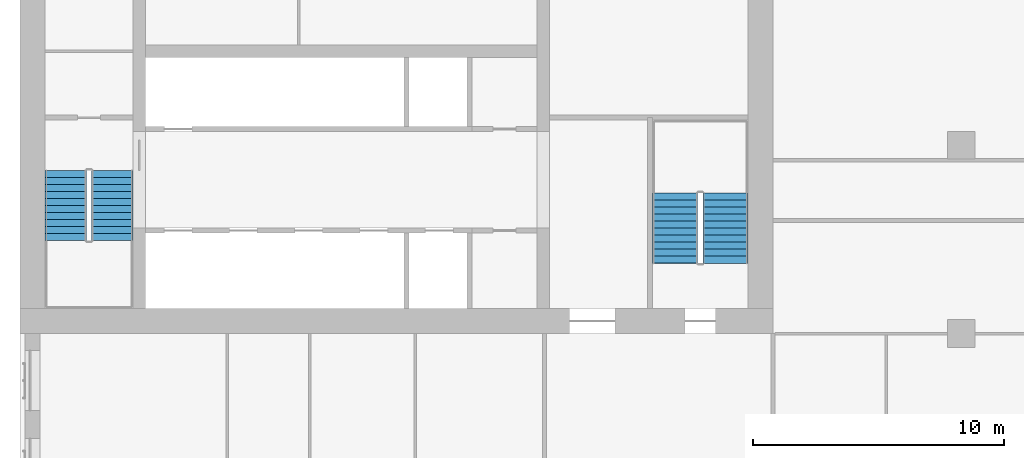
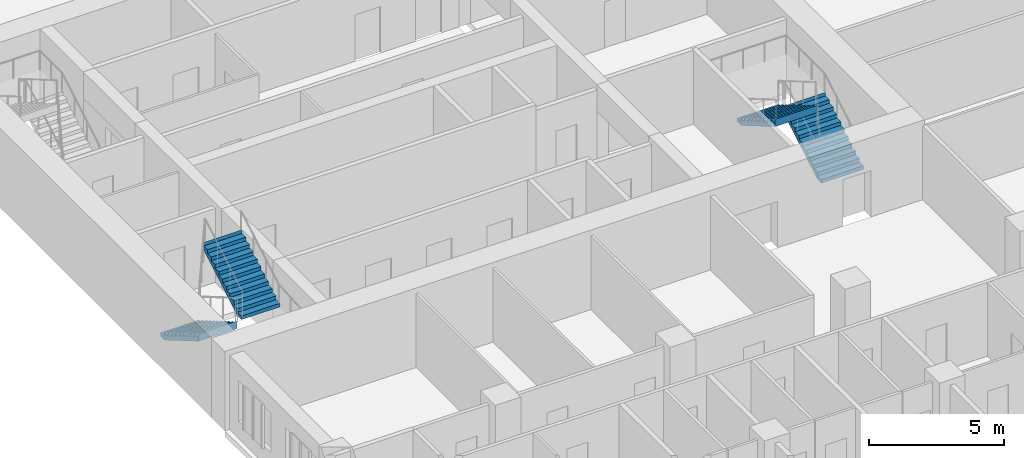
# One storey, part 13 of 15: 4 stair flights, 2 elements without a shape of their own.
"""IFC4 building model written with IfcOpenShell, lengths in metres."""

from ifc_helpers import new_model, si_unit, direction, frame, origin, place, context, subcontext, project, spatial, polyline, outline, extrude, material, type_object, element, aggregate, save


model = new_model("IFC4")

# Units and contexts
model_context = context("Model", 3, precision=1e-05, world=origin(), true_north=direction((0.0, 1.0)))
body_context = subcontext(model_context, "Body", "Model", "MODEL_VIEW")
ifc_project = project(units=[si_unit("LENGTHUNIT", "METRE"), si_unit("AREAUNIT", "SQUARE_METRE"), si_unit("VOLUMEUNIT", "CUBIC_METRE"), si_unit("PLANEANGLEUNIT", "RADIAN"), si_unit("MASSUNIT", "GRAM", prefix="KILO")], contexts=[model_context])

# Site, building, storey
site_placement = place(None, origin())
site = spatial("IfcSite", under=ifc_project, at=site_placement, CompositionType="ELEMENT")
building_placement = place(site_placement, origin())
building = spatial("IfcBuilding", under=site, at=building_placement, Name="Tamorin Gate", CompositionType="ELEMENT")
storey_placement = place(building_placement, frame((0.0, 0.0, 111.5)))
storey = spatial("IfcBuildingStorey", under=building, at=storey_placement, Name="L27", CompositionType="ELEMENT", Elevation=111.5)

# Stair, stair flights
ifc_material = material(Name="Concrete C40/50", Category="concrete")
stair_type = type_object("IfcStairType", Name="Exit stair", PredefinedType="HALF_TURN_STAIR", material=ifc_material)
stair_1_placement = place(storey_placement, origin())
stair_1 = element("IfcStair", 1, at=stair_1_placement, inside=storey, type_object=stair_type, Name="L27 stair ST1", PredefinedType="HALF_TURN_STAIR")
stair_flight_type = type_object("IfcStairFlightType", Name="Exit stair flight", PredefinedType="STRAIGHT", material=ifc_material)
stair_flight_1_placement = place(storey_placement, frame((31.824951171875, 66.5, 0.0), z_axis=(0.0, 0.0, 1.0), x_axis=(0.0, -1.0, 0.0)))
stair_flight_1 = element("IfcStairFlight", 2, at=stair_flight_1_placement, type_object=stair_flight_type, Name="ST1 flight 1", NumberOfRisers=11, NumberOfTreads=10, PredefinedType="STRAIGHT", RiserHeight=0.163636364, TreadLength=0.28, context=body_context, shape_type="SweptSolid", body=[
    extrude(outline(polyline([(-0.00048828125, 0.0), (-0.00048828125, 0.001708984375), (-0.00048828125, 0.003173828125), (-0.00048828125, 0.0048828125), (-0.00048828125, 0.006591796875), (-0.00048828125, 0.008056640625), (-0.00048828125, 0.009765625), (-0.00048828125, 0.01123046875), (-0.00048828125, 0.012939453125), (-0.00048828125, 0.0146484375), (-0.00048828125, 0.01611328125), (-0.00048828125, 0.017822265625), (-0.00048828125, 0.01953125), (-0.00048828125, 0.02099609375), (-0.00048828125, 0.022705078125), (-0.00048828125, 0.0244140625), (-0.00048828125, 0.02587890625), (-0.00048828125, 0.027587890625), (-0.00048828125, 0.029052734375), (-0.00048828125, 0.03076171875), (-0.00048828125, 0.032470703125), (-0.00048828125, 0.033935546875), (-0.00048828125, 0.03564453125), (-0.00048828125, 0.037353515625), (-0.00048828125, 0.038818359375), (-0.00048828125, 0.04052734375), (-0.00048828125, 0.042236328125), (-0.00048828125, 0.043701171875), (-0.00048828125, 0.04541015625), (-0.00048828125, 0.046875), (-0.00048828125, 0.048583984375), (-0.00048828125, 0.05029296875), (-0.00048828125, 0.0517578125), (-0.00048828125, 0.053466796875), (-0.00048828125, 0.05517578125), (-0.00048828125, 0.056640625), (-0.00048828125, 0.058349609375), (-0.00048828125, 0.06005859375), (-0.00048828125, 0.0615234375), (-0.00048828125, 0.063232421875), (-0.00048828125, 0.064697265625), (-0.00048828125, 0.06640625), (-0.00048828125, 0.068115234375), (-0.00048828125, 0.069580078125), (-0.00048828125, 0.0712890625), (-0.00048828125, 0.072998046875), (-0.00048828125, 0.074462890625), (-0.00048828125, 0.076171875), (-0.00048828125, 0.077880859375), (-0.00048828125, 0.079345703125), (-0.00048828125, 0.0810546875), (-0.00048828125, 0.08251953125), (-0.00048828125, 0.084228515625), (-0.00048828125, 0.0859375), (-0.00048828125, 0.08740234375), (-0.00048828125, 0.089111328125), (-0.00048828125, 0.0908203125), (-0.00048828125, 0.09228515625), (-0.00048828125, 0.093994140625), (-0.00048828125, 0.095703125), (-0.00048828125, 0.09716796875), (-0.00048828125, 0.098876953125), (-0.00048828125, 0.100341796875), (-0.00048828125, 0.10205078125), (-0.00048828125, 0.103759765625), (-0.00048828125, 0.105224609375), (-0.00048828125, 0.10693359375), (-0.00048828125, 0.108642578125), (-0.00048828125, 0.110107421875), (-0.00048828125, 0.11181640625), (-0.00048828125, 0.113525390625), (-0.00048828125, 0.114990234375), (-0.00048828125, 0.11669921875), (-0.00048828125, 0.1181640625), (-0.00048828125, 0.119873046875), (-0.00048828125, 0.12158203125), (-0.00048828125, 0.123046875), (-0.00048828125, 0.124755859375), (-0.00048828125, 0.12646484375), (-0.00048828125, 0.1279296875), (-0.00048828125, 0.129638671875), (-0.00048828125, 0.13134765625), (-0.00048828125, 0.1328125), (-0.00048828125, 0.134521484375), (-0.00048828125, 0.135986328125), (-0.00048828125, 0.1376953125), (-0.00048828125, 0.139404296875), (-0.00048828125, 0.140869140625), (-0.00048828125, 0.142578125), (-0.00048828125, 0.144287109375), (-0.00048828125, 0.145751953125), (-0.00048828125, 0.1474609375), (-0.00048828125, 0.149169921875), (-0.00048828125, 0.150634765625), (-0.00048828125, 0.15234375), (-0.00048828125, 0.15380859375), (-0.00048828125, 0.155517578125), (-0.00048828125, 0.1572265625), (-0.00048828125, 0.15869140625), (-0.00048828125, 0.160400390625), (-0.00048828125, 0.162109375), (-0.00048828125, 0.16357421875), (0.280029296875, 0.16357421875), (0.280029296875, 0.327392578125), (0.56005859375, 0.327392578125), (0.56005859375, 0.490966796875), (0.840087890625, 0.490966796875), (0.840087890625, 0.654541015625), (1.1201171875, 0.654541015625), (1.1201171875, 0.818115234375), (1.39990234375, 0.818115234375), (1.39990234375, 0.98193359375), (1.679931640625, 0.98193359375), (1.679931640625, 1.1455078125), (1.9599609375, 1.1455078125), (1.9599609375, 1.30908203125), (2.239990234375, 1.30908203125), (2.239990234375, 1.47265625), (2.52001953125, 1.47265625), (2.52001953125, 1.636474609375), (2.800048828125, 1.636474609375), (2.800048828125, 1.800048828125), (2.800537109375, 1.800048828125), (2.800537109375, 1.796630859375), (2.800537109375, 1.793212890625), (2.800537109375, 1.7900390625), (2.800537109375, 1.78662109375), (2.800537109375, 1.783203125), (2.800537109375, 1.780029296875), (2.800537109375, 1.776611328125), (2.800537109375, 1.773193359375), (2.800537109375, 1.77001953125), (2.800537109375, 1.7666015625), (2.800537109375, 1.76318359375), (2.800537109375, 1.760009765625), (2.800537109375, 1.756591796875), (2.800537109375, 1.753173828125), (2.800537109375, 1.75), (2.800537109375, 1.74658203125), (2.800537109375, 1.7431640625), (2.800537109375, 1.739990234375), (2.800537109375, 1.736572265625), (2.800537109375, 1.733154296875), (2.800537109375, 1.72998046875), (2.800537109375, 1.7265625), (2.800537109375, 1.72314453125), (2.800537109375, 1.719970703125), (2.800537109375, 1.716552734375), (2.800537109375, 1.713134765625), (2.800537109375, 1.7099609375), (2.800537109375, 1.70654296875), (2.800537109375, 1.703125), (2.800537109375, 1.69970703125), (2.800537109375, 1.696533203125), (2.800537109375, 1.693115234375), (2.800537109375, 1.689697265625), (2.800537109375, 1.6865234375), (2.800537109375, 1.68310546875), (2.800537109375, 1.6796875), (2.800537109375, 1.676513671875), (2.800537109375, 1.673095703125), (2.800537109375, 1.669677734375), (2.800537109375, 1.66650390625), (2.800537109375, 1.6630859375), (2.800537109375, 1.65966796875), (2.800537109375, 1.656494140625), (2.800537109375, 1.653076171875), (2.800537109375, 1.649658203125), (2.800537109375, 1.646484375), (2.800537109375, 1.64306640625), (2.800537109375, 1.6396484375), (2.800537109375, 1.636474609375), (2.800537109375, 1.633056640625), (2.800537109375, 1.629638671875), (2.800537109375, 1.62646484375), (2.800537109375, 1.623046875), (2.800537109375, 1.61962890625), (2.800537109375, 1.616455078125), (2.800537109375, 1.613037109375), (2.800537109375, 1.609619140625), (2.800537109375, 1.6064453125), (2.800537109375, 1.60302734375), (2.800537109375, 1.599609375), (2.800537109375, 1.59619140625), (2.800537109375, 1.593017578125), (2.800537109375, 1.589599609375), (2.800537109375, 1.586181640625), (2.800537109375, 1.5830078125), (2.800537109375, 1.57958984375), (2.800537109375, 1.576171875), (2.800537109375, 1.572998046875), (2.800537109375, 1.569580078125), (2.800537109375, 1.566162109375), (2.800537109375, 1.56298828125), (2.800537109375, 1.5595703125), (2.800537109375, 1.55615234375), (2.800537109375, 1.552978515625), (2.800537109375, 1.549560546875), (2.800537109375, 1.546142578125), (2.800537109375, 1.54296875), (2.800537109375, 1.53955078125), (2.800537109375, 1.5361328125), (2.800537109375, 1.532958984375), (2.800537109375, 1.529541015625), (2.800537109375, 1.526123046875), (2.800537109375, 1.52294921875), (2.800537109375, 1.51953125), (2.800537109375, 1.51611328125), (2.800537109375, 1.512939453125), (2.800537109375, 1.509521484375), (2.800537109375, 1.506103515625), (2.800537109375, 1.5029296875), (2.800537109375, 1.49951171875), (2.800537109375, 1.49609375), (2.800537109375, 1.49267578125), (2.800537109375, 1.489501953125), (2.800537109375, 1.486083984375), (2.800537109375, 1.482666015625), (2.800537109375, 1.4794921875), (2.800537109375, 1.47607421875), (2.800537109375, 1.47265625), (2.800537109375, 1.469482421875), (2.800537109375, 1.466064453125), (2.800537109375, 1.462646484375), (2.800048828125, 1.462646484375), (0.297119140625, 0.0), (-0.00048828125, 0.0)])), frame((0.0, 0.824951171875, 0.0), z_axis=(0.0, -1.0, 0.0), x_axis=(1.0, 0.0, 0.0)), (0.0, 0.0, 1.0), 1.64990234375),
])
stair_flight_2_placement = place(storey_placement, frame((33.675048828125, 63.699951171875, 1.800048828125), z_axis=(0.0, 0.0, 1.0), x_axis=(0.0, 1.0, 0.0)))
stair_flight_2 = element("IfcStairFlight", 3, at=stair_flight_2_placement, type_object=stair_flight_type, Name="ST1 flight 2", NumberOfRisers=11, NumberOfTreads=10, PredefinedType="STRAIGHT", RiserHeight=0.163636364, TreadLength=0.28, context=body_context, shape_type="SweptSolid", body=[
    extrude(outline(polyline([(-0.00048828125, 0.0), (-0.00048828125, 0.001708984375), (-0.00048828125, 0.003173828125), (-0.00048828125, 0.0048828125), (-0.00048828125, 0.006591796875), (-0.00048828125, 0.008056640625), (-0.00048828125, 0.009765625), (-0.00048828125, 0.01123046875), (-0.00048828125, 0.012939453125), (-0.00048828125, 0.0146484375), (-0.00048828125, 0.01611328125), (-0.00048828125, 0.017822265625), (-0.00048828125, 0.01953125), (-0.00048828125, 0.02099609375), (-0.00048828125, 0.022705078125), (-0.00048828125, 0.0244140625), (-0.00048828125, 0.02587890625), (-0.00048828125, 0.027587890625), (-0.00048828125, 0.029052734375), (-0.00048828125, 0.03076171875), (-0.00048828125, 0.032470703125), (-0.00048828125, 0.033935546875), (-0.00048828125, 0.03564453125), (-0.00048828125, 0.037353515625), (-0.00048828125, 0.038818359375), (-0.00048828125, 0.04052734375), (-0.00048828125, 0.042236328125), (-0.00048828125, 0.043701171875), (-0.00048828125, 0.04541015625), (-0.00048828125, 0.046875), (-0.00048828125, 0.048583984375), (-0.00048828125, 0.05029296875), (-0.00048828125, 0.0517578125), (-0.00048828125, 0.053466796875), (-0.00048828125, 0.05517578125), (-0.00048828125, 0.056640625), (-0.00048828125, 0.058349609375), (-0.00048828125, 0.06005859375), (-0.00048828125, 0.0615234375), (-0.00048828125, 0.063232421875), (-0.00048828125, 0.064697265625), (-0.00048828125, 0.06640625), (-0.00048828125, 0.068115234375), (-0.00048828125, 0.069580078125), (-0.00048828125, 0.0712890625), (-0.00048828125, 0.072998046875), (-0.00048828125, 0.074462890625), (-0.00048828125, 0.076171875), (-0.00048828125, 0.077880859375), (-0.00048828125, 0.079345703125), (-0.00048828125, 0.0810546875), (-0.00048828125, 0.08251953125), (-0.00048828125, 0.084228515625), (-0.00048828125, 0.0859375), (-0.00048828125, 0.08740234375), (-0.00048828125, 0.089111328125), (-0.00048828125, 0.0908203125), (-0.00048828125, 0.09228515625), (-0.00048828125, 0.093994140625), (-0.00048828125, 0.095703125), (-0.00048828125, 0.09716796875), (-0.00048828125, 0.098876953125), (-0.00048828125, 0.100341796875), (-0.00048828125, 0.10205078125), (-0.00048828125, 0.103759765625), (-0.00048828125, 0.105224609375), (-0.00048828125, 0.10693359375), (-0.00048828125, 0.108642578125), (-0.00048828125, 0.110107421875), (-0.00048828125, 0.11181640625), (-0.00048828125, 0.113525390625), (-0.00048828125, 0.114990234375), (-0.00048828125, 0.11669921875), (-0.00048828125, 0.1181640625), (-0.00048828125, 0.119873046875), (-0.00048828125, 0.12158203125), (-0.00048828125, 0.123046875), (-0.00048828125, 0.124755859375), (-0.00048828125, 0.12646484375), (-0.00048828125, 0.1279296875), (-0.00048828125, 0.129638671875), (-0.00048828125, 0.13134765625), (-0.00048828125, 0.1328125), (-0.00048828125, 0.134521484375), (-0.00048828125, 0.135986328125), (-0.00048828125, 0.1376953125), (-0.00048828125, 0.139404296875), (-0.00048828125, 0.140869140625), (-0.00048828125, 0.142578125), (-0.00048828125, 0.144287109375), (-0.00048828125, 0.145751953125), (-0.00048828125, 0.1474609375), (-0.00048828125, 0.149169921875), (-0.00048828125, 0.150634765625), (-0.00048828125, 0.15234375), (-0.00048828125, 0.15380859375), (-0.00048828125, 0.155517578125), (-0.00048828125, 0.1572265625), (-0.00048828125, 0.15869140625), (-0.00048828125, 0.160400390625), (-0.00048828125, 0.162109375), (-0.00048828125, 0.16357421875), (0.280029296875, 0.16357421875), (0.280029296875, 0.327392578125), (0.56005859375, 0.327392578125), (0.56005859375, 0.490966796875), (0.840087890625, 0.490966796875), (0.840087890625, 0.654541015625), (1.1201171875, 0.654541015625), (1.1201171875, 0.818115234375), (1.39990234375, 0.818115234375), (1.39990234375, 0.98193359375), (1.679931640625, 0.98193359375), (1.679931640625, 1.1455078125), (1.9599609375, 1.1455078125), (1.9599609375, 1.30908203125), (2.239990234375, 1.30908203125), (2.239990234375, 1.47265625), (2.52001953125, 1.47265625), (2.52001953125, 1.636474609375), (2.800048828125, 1.636474609375), (2.800048828125, 1.800048828125), (2.800537109375, 1.800048828125), (2.800537109375, 1.796630859375), (2.800537109375, 1.793212890625), (2.800537109375, 1.7900390625), (2.800537109375, 1.78662109375), (2.800537109375, 1.783203125), (2.800537109375, 1.780029296875), (2.800537109375, 1.776611328125), (2.800537109375, 1.773193359375), (2.800537109375, 1.77001953125), (2.800537109375, 1.7666015625), (2.800537109375, 1.76318359375), (2.800537109375, 1.760009765625), (2.800537109375, 1.756591796875), (2.800537109375, 1.753173828125), (2.800537109375, 1.75), (2.800537109375, 1.74658203125), (2.800537109375, 1.7431640625), (2.800537109375, 1.739990234375), (2.800537109375, 1.736572265625), (2.800537109375, 1.733154296875), (2.800537109375, 1.72998046875), (2.800537109375, 1.7265625), (2.800537109375, 1.72314453125), (2.800537109375, 1.719970703125), (2.800537109375, 1.716552734375), (2.800537109375, 1.713134765625), (2.800537109375, 1.7099609375), (2.800537109375, 1.70654296875), (2.800537109375, 1.703125), (2.800537109375, 1.69970703125), (2.800537109375, 1.696533203125), (2.800537109375, 1.693115234375), (2.800537109375, 1.689697265625), (2.800537109375, 1.6865234375), (2.800537109375, 1.68310546875), (2.800537109375, 1.6796875), (2.800537109375, 1.676513671875), (2.800537109375, 1.673095703125), (2.800537109375, 1.669677734375), (2.800537109375, 1.66650390625), (2.800537109375, 1.6630859375), (2.800537109375, 1.65966796875), (2.800537109375, 1.656494140625), (2.800537109375, 1.653076171875), (2.800537109375, 1.649658203125), (2.800537109375, 1.646484375), (2.800537109375, 1.64306640625), (2.800537109375, 1.6396484375), (2.800537109375, 1.636474609375), (2.800537109375, 1.633056640625), (2.800537109375, 1.629638671875), (2.800537109375, 1.62646484375), (2.800537109375, 1.623046875), (2.800537109375, 1.61962890625), (2.800537109375, 1.616455078125), (2.800537109375, 1.613037109375), (2.800537109375, 1.609619140625), (2.800537109375, 1.6064453125), (2.800537109375, 1.60302734375), (2.800537109375, 1.599609375), (2.800537109375, 1.59619140625), (2.800537109375, 1.593017578125), (2.800537109375, 1.589599609375), (2.800537109375, 1.586181640625), (2.800537109375, 1.5830078125), (2.800537109375, 1.57958984375), (2.800537109375, 1.576171875), (2.800537109375, 1.572998046875), (2.800537109375, 1.569580078125), (2.800537109375, 1.566162109375), (2.800537109375, 1.56298828125), (2.800537109375, 1.5595703125), (2.800537109375, 1.55615234375), (2.800537109375, 1.552978515625), (2.800537109375, 1.549560546875), (2.800537109375, 1.546142578125), (2.800537109375, 1.54296875), (2.800537109375, 1.53955078125), (2.800537109375, 1.5361328125), (2.800537109375, 1.532958984375), (2.800537109375, 1.529541015625), (2.800537109375, 1.526123046875), (2.800537109375, 1.52294921875), (2.800537109375, 1.51953125), (2.800537109375, 1.51611328125), (2.800537109375, 1.512939453125), (2.800537109375, 1.509521484375), (2.800537109375, 1.506103515625), (2.800537109375, 1.5029296875), (2.800537109375, 1.49951171875), (2.800537109375, 1.49609375), (2.800537109375, 1.49267578125), (2.800537109375, 1.489501953125), (2.800537109375, 1.486083984375), (2.800537109375, 1.482666015625), (2.800537109375, 1.4794921875), (2.800537109375, 1.47607421875), (2.800537109375, 1.47265625), (2.800537109375, 1.469482421875), (2.800537109375, 1.466064453125), (2.800537109375, 1.462646484375), (2.800048828125, 1.462646484375), (0.297119140625, 0.0), (-0.00048828125, 0.0)])), frame((0.0, 0.824951171875, 0.0), z_axis=(0.0, -1.0, 0.0), x_axis=(1.0, 0.0, 0.0)), (0.0, 0.0, 1.0), 1.64990234375),
])
aggregate(stair_1, [stair_flight_1, stair_flight_2])

stair_2_placement = place(storey_placement, origin())
stair_2 = element("IfcStair", 4, at=stair_2_placement, inside=storey, type_object=stair_type, Name="L27 stair ST3", PredefinedType="HALF_TURN_STAIR")
stair_flight_3_placement = place(storey_placement, frame((58.10009765625, 62.800048828125, 0.0), z_axis=(0.0, 0.0, 1.0), x_axis=(0.0, 1.0, 0.0)))
stair_flight_3 = element("IfcStairFlight", 5, at=stair_flight_3_placement, type_object=stair_flight_type, Name="ST3 flight 1", NumberOfRisers=11, NumberOfTreads=10, PredefinedType="STRAIGHT", RiserHeight=0.163636364, TreadLength=0.28, context=body_context, shape_type="SweptSolid", body=[
    extrude(outline(polyline([(-0.00048828125, 0.0), (-0.00048828125, 0.001708984375), (-0.00048828125, 0.003173828125), (-0.00048828125, 0.0048828125), (-0.00048828125, 0.006591796875), (-0.00048828125, 0.008056640625), (-0.00048828125, 0.009765625), (-0.00048828125, 0.01123046875), (-0.00048828125, 0.012939453125), (-0.00048828125, 0.0146484375), (-0.00048828125, 0.01611328125), (-0.00048828125, 0.017822265625), (-0.00048828125, 0.01953125), (-0.00048828125, 0.02099609375), (-0.00048828125, 0.022705078125), (-0.00048828125, 0.0244140625), (-0.00048828125, 0.02587890625), (-0.00048828125, 0.027587890625), (-0.00048828125, 0.029052734375), (-0.00048828125, 0.03076171875), (-0.00048828125, 0.032470703125), (-0.00048828125, 0.033935546875), (-0.00048828125, 0.03564453125), (-0.00048828125, 0.037353515625), (-0.00048828125, 0.038818359375), (-0.00048828125, 0.04052734375), (-0.00048828125, 0.042236328125), (-0.00048828125, 0.043701171875), (-0.00048828125, 0.04541015625), (-0.00048828125, 0.046875), (-0.00048828125, 0.048583984375), (-0.00048828125, 0.05029296875), (-0.00048828125, 0.0517578125), (-0.00048828125, 0.053466796875), (-0.00048828125, 0.05517578125), (-0.00048828125, 0.056640625), (-0.00048828125, 0.058349609375), (-0.00048828125, 0.06005859375), (-0.00048828125, 0.0615234375), (-0.00048828125, 0.063232421875), (-0.00048828125, 0.064697265625), (-0.00048828125, 0.06640625), (-0.00048828125, 0.068115234375), (-0.00048828125, 0.069580078125), (-0.00048828125, 0.0712890625), (-0.00048828125, 0.072998046875), (-0.00048828125, 0.074462890625), (-0.00048828125, 0.076171875), (-0.00048828125, 0.077880859375), (-0.00048828125, 0.079345703125), (-0.00048828125, 0.0810546875), (-0.00048828125, 0.08251953125), (-0.00048828125, 0.084228515625), (-0.00048828125, 0.0859375), (-0.00048828125, 0.08740234375), (-0.00048828125, 0.089111328125), (-0.00048828125, 0.0908203125), (-0.00048828125, 0.09228515625), (-0.00048828125, 0.093994140625), (-0.00048828125, 0.095703125), (-0.00048828125, 0.09716796875), (-0.00048828125, 0.098876953125), (-0.00048828125, 0.100341796875), (-0.00048828125, 0.10205078125), (-0.00048828125, 0.103759765625), (-0.00048828125, 0.105224609375), (-0.00048828125, 0.10693359375), (-0.00048828125, 0.108642578125), (-0.00048828125, 0.110107421875), (-0.00048828125, 0.11181640625), (-0.00048828125, 0.113525390625), (-0.00048828125, 0.114990234375), (-0.00048828125, 0.11669921875), (-0.00048828125, 0.1181640625), (-0.00048828125, 0.119873046875), (-0.00048828125, 0.12158203125), (-0.00048828125, 0.123046875), (-0.00048828125, 0.124755859375), (-0.00048828125, 0.12646484375), (-0.00048828125, 0.1279296875), (-0.00048828125, 0.129638671875), (-0.00048828125, 0.13134765625), (-0.00048828125, 0.1328125), (-0.00048828125, 0.134521484375), (-0.00048828125, 0.135986328125), (-0.00048828125, 0.1376953125), (-0.00048828125, 0.139404296875), (-0.00048828125, 0.140869140625), (-0.00048828125, 0.142578125), (-0.00048828125, 0.144287109375), (-0.00048828125, 0.145751953125), (-0.00048828125, 0.1474609375), (-0.00048828125, 0.149169921875), (-0.00048828125, 0.150634765625), (-0.00048828125, 0.15234375), (-0.00048828125, 0.15380859375), (-0.00048828125, 0.155517578125), (-0.00048828125, 0.1572265625), (-0.00048828125, 0.15869140625), (-0.00048828125, 0.160400390625), (-0.00048828125, 0.162109375), (-0.00048828125, 0.16357421875), (0.280029296875, 0.16357421875), (0.280029296875, 0.327392578125), (0.56005859375, 0.327392578125), (0.56005859375, 0.490966796875), (0.840087890625, 0.490966796875), (0.840087890625, 0.654541015625), (1.1201171875, 0.654541015625), (1.1201171875, 0.818115234375), (1.39990234375, 0.818115234375), (1.39990234375, 0.98193359375), (1.679931640625, 0.98193359375), (1.679931640625, 1.1455078125), (1.9599609375, 1.1455078125), (1.9599609375, 1.30908203125), (2.239990234375, 1.30908203125), (2.239990234375, 1.47265625), (2.52001953125, 1.47265625), (2.52001953125, 1.636474609375), (2.800048828125, 1.636474609375), (2.800048828125, 1.800048828125), (2.800537109375, 1.800048828125), (2.800537109375, 1.796630859375), (2.800537109375, 1.793212890625), (2.800537109375, 1.7900390625), (2.800537109375, 1.78662109375), (2.800537109375, 1.783203125), (2.800537109375, 1.780029296875), (2.800537109375, 1.776611328125), (2.800537109375, 1.773193359375), (2.800537109375, 1.77001953125), (2.800537109375, 1.7666015625), (2.800537109375, 1.76318359375), (2.800537109375, 1.760009765625), (2.800537109375, 1.756591796875), (2.800537109375, 1.753173828125), (2.800537109375, 1.75), (2.800537109375, 1.74658203125), (2.800537109375, 1.7431640625), (2.800537109375, 1.739990234375), (2.800537109375, 1.736572265625), (2.800537109375, 1.733154296875), (2.800537109375, 1.72998046875), (2.800537109375, 1.7265625), (2.800537109375, 1.72314453125), (2.800537109375, 1.719970703125), (2.800537109375, 1.716552734375), (2.800537109375, 1.713134765625), (2.800537109375, 1.7099609375), (2.800537109375, 1.70654296875), (2.800537109375, 1.703125), (2.800537109375, 1.69970703125), (2.800537109375, 1.696533203125), (2.800537109375, 1.693115234375), (2.800537109375, 1.689697265625), (2.800537109375, 1.6865234375), (2.800537109375, 1.68310546875), (2.800537109375, 1.6796875), (2.800537109375, 1.676513671875), (2.800537109375, 1.673095703125), (2.800537109375, 1.669677734375), (2.800537109375, 1.66650390625), (2.800537109375, 1.6630859375), (2.800537109375, 1.65966796875), (2.800537109375, 1.656494140625), (2.800537109375, 1.653076171875), (2.800537109375, 1.649658203125), (2.800537109375, 1.646484375), (2.800537109375, 1.64306640625), (2.800537109375, 1.6396484375), (2.800537109375, 1.636474609375), (2.800537109375, 1.633056640625), (2.800537109375, 1.629638671875), (2.800537109375, 1.62646484375), (2.800537109375, 1.623046875), (2.800537109375, 1.61962890625), (2.800537109375, 1.616455078125), (2.800537109375, 1.613037109375), (2.800537109375, 1.609619140625), (2.800537109375, 1.6064453125), (2.800537109375, 1.60302734375), (2.800537109375, 1.599609375), (2.800537109375, 1.59619140625), (2.800537109375, 1.593017578125), (2.800537109375, 1.589599609375), (2.800537109375, 1.586181640625), (2.800537109375, 1.5830078125), (2.800537109375, 1.57958984375), (2.800537109375, 1.576171875), (2.800537109375, 1.572998046875), (2.800537109375, 1.569580078125), (2.800537109375, 1.566162109375), (2.800537109375, 1.56298828125), (2.800537109375, 1.5595703125), (2.800537109375, 1.55615234375), (2.800537109375, 1.552978515625), (2.800537109375, 1.549560546875), (2.800537109375, 1.546142578125), (2.800537109375, 1.54296875), (2.800537109375, 1.53955078125), (2.800537109375, 1.5361328125), (2.800537109375, 1.532958984375), (2.800537109375, 1.529541015625), (2.800537109375, 1.526123046875), (2.800537109375, 1.52294921875), (2.800537109375, 1.51953125), (2.800537109375, 1.51611328125), (2.800537109375, 1.512939453125), (2.800537109375, 1.509521484375), (2.800537109375, 1.506103515625), (2.800537109375, 1.5029296875), (2.800537109375, 1.49951171875), (2.800537109375, 1.49609375), (2.800537109375, 1.49267578125), (2.800537109375, 1.489501953125), (2.800537109375, 1.486083984375), (2.800537109375, 1.482666015625), (2.800537109375, 1.4794921875), (2.800537109375, 1.47607421875), (2.800537109375, 1.47265625), (2.800537109375, 1.469482421875), (2.800537109375, 1.466064453125), (2.800537109375, 1.462646484375), (2.800048828125, 1.462646484375), (0.297119140625, 0.0), (-0.00048828125, 0.0)])), frame((0.0, 0.89990234375, 0.0), z_axis=(0.0, -1.0, 0.0), x_axis=(1.0, 0.0, 0.0)), (0.0, 0.0, 1.0), 1.800048828125),
])
stair_flight_4_placement = place(storey_placement, frame((56.10009765625, 65.60009765625, 1.800048828125), z_axis=(0.0, 0.0, 1.0), x_axis=(0.0, -1.0, 0.0)))
stair_flight_4 = element("IfcStairFlight", 6, at=stair_flight_4_placement, type_object=stair_flight_type, Name="ST3 flight 2", NumberOfRisers=11, NumberOfTreads=10, PredefinedType="STRAIGHT", RiserHeight=0.163636364, TreadLength=0.28, context=body_context, shape_type="SweptSolid", body=[
    extrude(outline(polyline([(-0.00048828125, 0.0), (-0.00048828125, 0.001708984375), (-0.00048828125, 0.003173828125), (-0.00048828125, 0.0048828125), (-0.00048828125, 0.006591796875), (-0.00048828125, 0.008056640625), (-0.00048828125, 0.009765625), (-0.00048828125, 0.01123046875), (-0.00048828125, 0.012939453125), (-0.00048828125, 0.0146484375), (-0.00048828125, 0.01611328125), (-0.00048828125, 0.017822265625), (-0.00048828125, 0.01953125), (-0.00048828125, 0.02099609375), (-0.00048828125, 0.022705078125), (-0.00048828125, 0.0244140625), (-0.00048828125, 0.02587890625), (-0.00048828125, 0.027587890625), (-0.00048828125, 0.029052734375), (-0.00048828125, 0.03076171875), (-0.00048828125, 0.032470703125), (-0.00048828125, 0.033935546875), (-0.00048828125, 0.03564453125), (-0.00048828125, 0.037353515625), (-0.00048828125, 0.038818359375), (-0.00048828125, 0.04052734375), (-0.00048828125, 0.042236328125), (-0.00048828125, 0.043701171875), (-0.00048828125, 0.04541015625), (-0.00048828125, 0.046875), (-0.00048828125, 0.048583984375), (-0.00048828125, 0.05029296875), (-0.00048828125, 0.0517578125), (-0.00048828125, 0.053466796875), (-0.00048828125, 0.05517578125), (-0.00048828125, 0.056640625), (-0.00048828125, 0.058349609375), (-0.00048828125, 0.06005859375), (-0.00048828125, 0.0615234375), (-0.00048828125, 0.063232421875), (-0.00048828125, 0.064697265625), (-0.00048828125, 0.06640625), (-0.00048828125, 0.068115234375), (-0.00048828125, 0.069580078125), (-0.00048828125, 0.0712890625), (-0.00048828125, 0.072998046875), (-0.00048828125, 0.074462890625), (-0.00048828125, 0.076171875), (-0.00048828125, 0.077880859375), (-0.00048828125, 0.079345703125), (-0.00048828125, 0.0810546875), (-0.00048828125, 0.08251953125), (-0.00048828125, 0.084228515625), (-0.00048828125, 0.0859375), (-0.00048828125, 0.08740234375), (-0.00048828125, 0.089111328125), (-0.00048828125, 0.0908203125), (-0.00048828125, 0.09228515625), (-0.00048828125, 0.093994140625), (-0.00048828125, 0.095703125), (-0.00048828125, 0.09716796875), (-0.00048828125, 0.098876953125), (-0.00048828125, 0.100341796875), (-0.00048828125, 0.10205078125), (-0.00048828125, 0.103759765625), (-0.00048828125, 0.105224609375), (-0.00048828125, 0.10693359375), (-0.00048828125, 0.108642578125), (-0.00048828125, 0.110107421875), (-0.00048828125, 0.11181640625), (-0.00048828125, 0.113525390625), (-0.00048828125, 0.114990234375), (-0.00048828125, 0.11669921875), (-0.00048828125, 0.1181640625), (-0.00048828125, 0.119873046875), (-0.00048828125, 0.12158203125), (-0.00048828125, 0.123046875), (-0.00048828125, 0.124755859375), (-0.00048828125, 0.12646484375), (-0.00048828125, 0.1279296875), (-0.00048828125, 0.129638671875), (-0.00048828125, 0.13134765625), (-0.00048828125, 0.1328125), (-0.00048828125, 0.134521484375), (-0.00048828125, 0.135986328125), (-0.00048828125, 0.1376953125), (-0.00048828125, 0.139404296875), (-0.00048828125, 0.140869140625), (-0.00048828125, 0.142578125), (-0.00048828125, 0.144287109375), (-0.00048828125, 0.145751953125), (-0.00048828125, 0.1474609375), (-0.00048828125, 0.149169921875), (-0.00048828125, 0.150634765625), (-0.00048828125, 0.15234375), (-0.00048828125, 0.15380859375), (-0.00048828125, 0.155517578125), (-0.00048828125, 0.1572265625), (-0.00048828125, 0.15869140625), (-0.00048828125, 0.160400390625), (-0.00048828125, 0.162109375), (-0.00048828125, 0.16357421875), (0.280029296875, 0.16357421875), (0.280029296875, 0.327392578125), (0.56005859375, 0.327392578125), (0.56005859375, 0.490966796875), (0.840087890625, 0.490966796875), (0.840087890625, 0.654541015625), (1.1201171875, 0.654541015625), (1.1201171875, 0.818115234375), (1.39990234375, 0.818115234375), (1.39990234375, 0.98193359375), (1.679931640625, 0.98193359375), (1.679931640625, 1.1455078125), (1.9599609375, 1.1455078125), (1.9599609375, 1.30908203125), (2.239990234375, 1.30908203125), (2.239990234375, 1.47265625), (2.52001953125, 1.47265625), (2.52001953125, 1.636474609375), (2.800048828125, 1.636474609375), (2.800048828125, 1.800048828125), (2.800537109375, 1.800048828125), (2.800537109375, 1.796630859375), (2.800537109375, 1.793212890625), (2.800537109375, 1.7900390625), (2.800537109375, 1.78662109375), (2.800537109375, 1.783203125), (2.800537109375, 1.780029296875), (2.800537109375, 1.776611328125), (2.800537109375, 1.773193359375), (2.800537109375, 1.77001953125), (2.800537109375, 1.7666015625), (2.800537109375, 1.76318359375), (2.800537109375, 1.760009765625), (2.800537109375, 1.756591796875), (2.800537109375, 1.753173828125), (2.800537109375, 1.75), (2.800537109375, 1.74658203125), (2.800537109375, 1.7431640625), (2.800537109375, 1.739990234375), (2.800537109375, 1.736572265625), (2.800537109375, 1.733154296875), (2.800537109375, 1.72998046875), (2.800537109375, 1.7265625), (2.800537109375, 1.72314453125), (2.800537109375, 1.719970703125), (2.800537109375, 1.716552734375), (2.800537109375, 1.713134765625), (2.800537109375, 1.7099609375), (2.800537109375, 1.70654296875), (2.800537109375, 1.703125), (2.800537109375, 1.69970703125), (2.800537109375, 1.696533203125), (2.800537109375, 1.693115234375), (2.800537109375, 1.689697265625), (2.800537109375, 1.6865234375), (2.800537109375, 1.68310546875), (2.800537109375, 1.6796875), (2.800537109375, 1.676513671875), (2.800537109375, 1.673095703125), (2.800537109375, 1.669677734375), (2.800537109375, 1.66650390625), (2.800537109375, 1.6630859375), (2.800537109375, 1.65966796875), (2.800537109375, 1.656494140625), (2.800537109375, 1.653076171875), (2.800537109375, 1.649658203125), (2.800537109375, 1.646484375), (2.800537109375, 1.64306640625), (2.800537109375, 1.6396484375), (2.800537109375, 1.636474609375), (2.800537109375, 1.633056640625), (2.800537109375, 1.629638671875), (2.800537109375, 1.62646484375), (2.800537109375, 1.623046875), (2.800537109375, 1.61962890625), (2.800537109375, 1.616455078125), (2.800537109375, 1.613037109375), (2.800537109375, 1.609619140625), (2.800537109375, 1.6064453125), (2.800537109375, 1.60302734375), (2.800537109375, 1.599609375), (2.800537109375, 1.59619140625), (2.800537109375, 1.593017578125), (2.800537109375, 1.589599609375), (2.800537109375, 1.586181640625), (2.800537109375, 1.5830078125), (2.800537109375, 1.57958984375), (2.800537109375, 1.576171875), (2.800537109375, 1.572998046875), (2.800537109375, 1.569580078125), (2.800537109375, 1.566162109375), (2.800537109375, 1.56298828125), (2.800537109375, 1.5595703125), (2.800537109375, 1.55615234375), (2.800537109375, 1.552978515625), (2.800537109375, 1.549560546875), (2.800537109375, 1.546142578125), (2.800537109375, 1.54296875), (2.800537109375, 1.53955078125), (2.800537109375, 1.5361328125), (2.800537109375, 1.532958984375), (2.800537109375, 1.529541015625), (2.800537109375, 1.526123046875), (2.800537109375, 1.52294921875), (2.800537109375, 1.51953125), (2.800537109375, 1.51611328125), (2.800537109375, 1.512939453125), (2.800537109375, 1.509521484375), (2.800537109375, 1.506103515625), (2.800537109375, 1.5029296875), (2.800537109375, 1.49951171875), (2.800537109375, 1.49609375), (2.800537109375, 1.49267578125), (2.800537109375, 1.489501953125), (2.800537109375, 1.486083984375), (2.800537109375, 1.482666015625), (2.800537109375, 1.4794921875), (2.800537109375, 1.47607421875), (2.800537109375, 1.47265625), (2.800537109375, 1.469482421875), (2.800537109375, 1.466064453125), (2.800537109375, 1.462646484375), (2.800048828125, 1.462646484375), (0.297119140625, 0.0), (-0.00048828125, 0.0)])), frame((0.0, 0.89990234375, 0.0), z_axis=(0.0, -1.0, 0.0), x_axis=(1.0, 0.0, 0.0)), (0.0, 0.0, 1.0), 1.800048828125),
])
aggregate(stair_2, [stair_flight_3, stair_flight_4])

save(model, "model.ifc")
